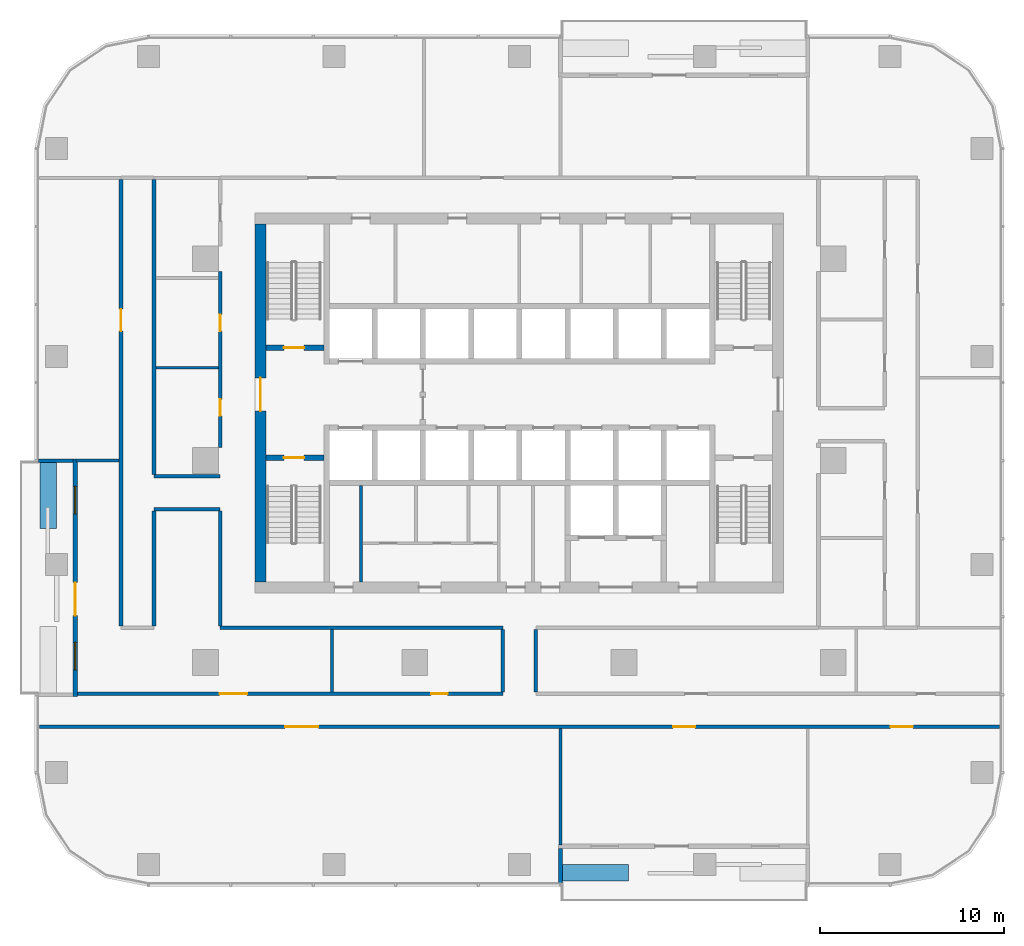
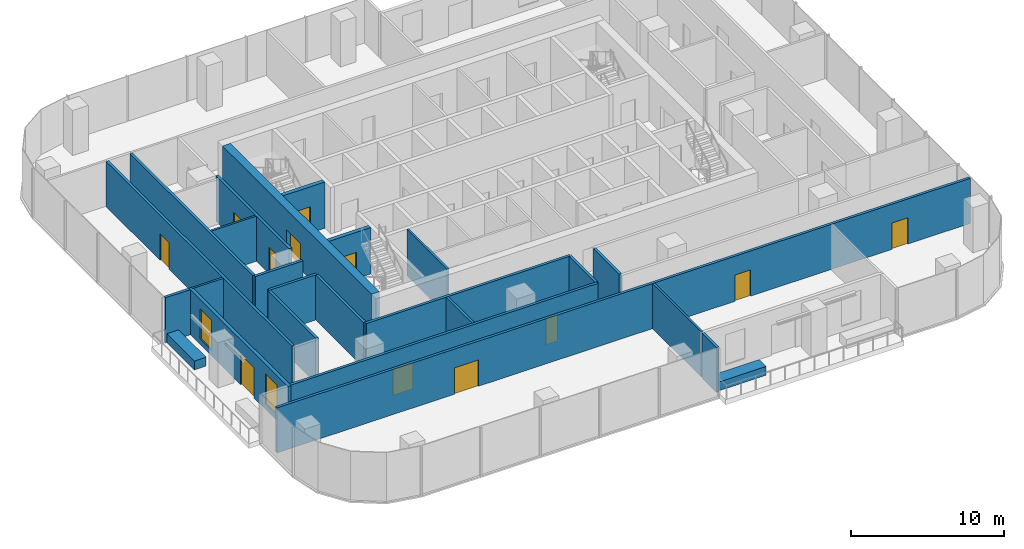
# One storey, part 7 of 14: 25 walls, 12 doors, 2 windows, 14 openings.
"""IFC4 building model written with IfcOpenShell, lengths in metres."""

import ifcopenshell
import ifcopenshell.guid

model = None  # the IFC model being written
_history = None  # IfcOwnerHistory: only IFC2X3 demands one
_inside = {}  # id of a spatial element -> (the spatial element, [elements in it])
_under = {}  # id of a project, library or spatial element -> (it, [spatial elements below it])
_declared = {}  # id of a project -> (the project, [libraries it declares])
_typed = {}  # id of a type object -> (the type object, [elements of that type])
_made_of = {}  # id of a material, layer set ... -> (it, [elements and type objects made of it])


def new_model(schema):
    """Start an empty IFC model of exactly this schema.

    Asked for "IFC4X3", IfcOpenShell would pick the latest addendum, in which some entities
    have other attributes; the version numbers below select the first issue.
    IFC2X3 requires an IfcOwnerHistory on every rooted entity: one is made here for all.
    """
    global model, _history
    if schema == "IFC4X3":
        model = ifcopenshell.file(schema_version=(4, 3, 0, 0))
    else:
        model = ifcopenshell.file(schema=schema)
    _inside.clear()
    _under.clear()
    _declared.clear()
    _typed.clear()
    _made_of.clear()
    _history = None
    if model.schema == "IFC2X3":
        org = make("IfcOrganization", Name="unknown")
        user = make(
            "IfcPersonAndOrganization",
            ThePerson=make("IfcPerson", FamilyName="unknown"),
            TheOrganization=org,
        )
        app = make(
            "IfcApplication",
            ApplicationDeveloper=org,
            Version="unknown",
            ApplicationFullName="unknown",
            ApplicationIdentifier="unknown",
        )
        _history = make(
            "IfcOwnerHistory",
            OwningUser=user,
            OwningApplication=app,
            ChangeAction="ADDED",
            CreationDate=0,
        )
    return model


def make(cls, **values):
    """One entity of the class cls with the attributes given. An attribute that is None is left unset."""
    return model.create_entity(
        cls, **{name: value for name, value in values.items() if value is not None}
    )


def rooted(cls, **values):
    """An entity with a GlobalId (a new one), such as an element, a storey or a relation."""
    return make(cls, GlobalId=ifcopenshell.guid.new(), OwnerHistory=_history, **values)


def si_unit(unit_type, name, prefix=None):
    """IfcSIUnit, for example si_unit("LENGTHUNIT", "METRE", prefix="MILLI")."""
    return make("IfcSIUnit", UnitType=unit_type, Prefix=prefix, Name=name)


def assignment(units):
    """IfcUnitAssignment: the units of a project."""
    return None if units is None else make("IfcUnitAssignment", Units=units)


def point(xyz):
    """IfcCartesianPoint."""
    return None if xyz is None else make("IfcCartesianPoint", Coordinates=xyz)


def direction(xyz):
    """IfcDirection."""
    return None if xyz is None else make("IfcDirection", DirectionRatios=xyz)


def frame(location, z_axis=None, x_axis=None):
    """IfcAxis2Placement3D, a coordinate frame: its origin and axes. An axis left out is left unset."""
    return make(
        "IfcAxis2Placement3D",
        Location=point(location),
        Axis=direction(z_axis),
        RefDirection=direction(x_axis),
    )


def frame_2d(location, x_axis=None):
    """IfcAxis2Placement2D, a coordinate frame in the plane: its origin and x axis."""
    return make(
        "IfcAxis2Placement2D", Location=point(location), RefDirection=direction(x_axis)
    )


def origin():
    """The frame at (0, 0, 0) with its axes left unset."""
    return frame((0.0, 0.0, 0.0))


def place(relative_to, where):
    """IfcLocalPlacement: puts the frame where relative to a parent placement (None: the world)."""
    return make(
        "IfcLocalPlacement", PlacementRelTo=relative_to, RelativePlacement=where
    )


def context(
    kind, dimensions, precision=None, world=None, true_north=None, identifier=None
):
    """IfcGeometricRepresentationContext, for example the 3D "Model" context."""
    return make(
        "IfcGeometricRepresentationContext",
        ContextIdentifier=identifier,
        ContextType=kind,
        CoordinateSpaceDimension=dimensions,
        Precision=precision,
        WorldCoordinateSystem=world,
        TrueNorth=true_north,
    )


def subcontext(parent, identifier, kind, view, scale=None):
    """IfcGeometricRepresentationSubContext, for example "Body" below "Model"."""
    return make(
        "IfcGeometricRepresentationSubContext",
        ContextIdentifier=identifier,
        ContextType=kind,
        ParentContext=parent,
        TargetScale=scale,
        TargetView=view,
    )


def project(units=None, contexts=None):
    """IfcProject with its units and contexts."""
    return rooted(
        "IfcProject",
        Name="project",
        RepresentationContexts=contexts,
        UnitsInContext=assignment(units),
    )


def spatial(cls, under=None, at=None, **own):
    """A site, building, storey or space (cls), placed at a placement, below another one or the project."""
    s = rooted(cls, ObjectPlacement=at, **own)
    if under is not None:
        _under.setdefault(under.id(), (under, []))[1].append(s)
    return s


def profile(cls, at=None, kind="AREA", **sizes):
    """A parametric profile (cls). Its sizes go by their IFC names, for example OverallWidth=200.0."""
    return make(cls, ProfileType=kind, Position=at, **sizes)


def rectangle(**sizes):
    """IfcRectangleProfileDef."""
    return profile("IfcRectangleProfileDef", **sizes)


def extrude(swept, where, along, depth):
    """IfcExtrudedAreaSolid: the profile swept, set in the frame where, extruded along a direction by depth."""
    return make(
        "IfcExtrudedAreaSolid",
        SweptArea=swept,
        Position=where,
        ExtrudedDirection=direction(along),
        Depth=depth,
    )


def shape(context_of_items, identifier, shape_type, items):
    """IfcShapeRepresentation: the items that make up one representation, for example the "Body"."""
    return make(
        "IfcShapeRepresentation",
        ContextOfItems=context_of_items,
        RepresentationIdentifier=identifier,
        RepresentationType=shape_type,
        Items=items,
    )


def material(Name=None, Category=None):
    """IfcMaterial."""
    return make("IfcMaterial", Name=Name, Category=Category)


def layer(
    of_material, thickness, ventilated=None, Name=None, Category=None, Priority=None
):
    """IfcMaterialLayer: one layer of a wall or slab, of a material (None: an air gap)."""
    return make(
        "IfcMaterialLayer",
        Material=of_material,
        LayerThickness=thickness,
        IsVentilated=ventilated,
        Name=Name,
        Category=Category,
        Priority=Priority,
    )


def layer_set(layers, Name=None):
    """IfcMaterialLayerSet."""
    return make("IfcMaterialLayerSet", MaterialLayers=layers, LayerSetName=Name)


def made_of(thing, what):
    """Note that an element or type object is made of a material, layer set ...; save() writes the relation."""
    if what is not None:
        _made_of.setdefault(what.id(), (what, []))[1].append(thing)
    return thing


def type_object(cls, material=None, **own):
    """A type object (cls), such as IfcWallType, which elements share."""
    return made_of(rooted(cls, **own), material)


def element(
    cls,
    number,
    at=None,
    inside=None,
    cuts=None,
    type_object=None,
    material=None,
    context=None,
    identifier="Body",
    shape_type=None,
    held_by="IfcProductDefinitionShape",
    body=None,
    shapes=None,
    **own,
):
    """One element of the class cls, such as IfcWall. Its Tag is "e" and its number.

    at: its placement. inside: the storey or other place that contains it. cuts: it is an
    opening in that element (IfcRelVoidsElement). A single representation is given by context,
    identifier, shape_type and body (its items); several are given by shapes. held_by: the class
    of the entity that holds the representations. save() writes the other relations.
    """
    e = rooted(cls, Tag="e%d" % number, ObjectPlacement=at, **own)
    if body is not None:
        shapes = [shape(context, identifier, shape_type, body)]
    if shapes is not None:
        e.Representation = make(held_by, Representations=shapes)
    if inside is not None:
        _inside.setdefault(inside.id(), (inside, []))[1].append(e)
    if cuts is not None:
        rooted(
            "IfcRelVoidsElement", RelatingBuildingElement=cuts, RelatedOpeningElement=e
        )
    if type_object is not None:
        _typed.setdefault(type_object.id(), (type_object, []))[1].append(e)
    return made_of(e, material)


def fill(opening, filler):
    """IfcRelFillsElement: the door or window that sits in an opening."""
    return rooted(
        "IfcRelFillsElement",
        RelatingOpeningElement=opening,
        RelatedBuildingElement=filler,
    )


def aggregate(whole, parts):
    """IfcRelAggregates: a whole, such as a stair, and the parts it consists of."""
    return rooted("IfcRelAggregates", RelatingObject=whole, RelatedObjects=parts)


def save(model, path):
    """Write the relations noted so far, then the file.

    IfcRelAggregates (storeys below a building ...), IfcRelContainedInSpatialStructure (elements
    in a storey), IfcRelDefinesByType, IfcRelAssociatesMaterial and IfcRelDeclares: one each for
    every whole, place, type object, material and project.
    """
    for whole, parts in _under.values():
        aggregate(whole, parts)
    for where, things in _inside.values():
        rooted(
            "IfcRelContainedInSpatialStructure",
            RelatedElements=things,
            RelatingStructure=where,
        )
    for kind, things in _typed.values():
        rooted("IfcRelDefinesByType", RelatedObjects=things, RelatingType=kind)
    for what, things in _made_of.values():
        rooted("IfcRelAssociatesMaterial", RelatedObjects=things, RelatingMaterial=what)
    for by, libraries in _declared.values():
        rooted("IfcRelDeclares", RelatingContext=by, RelatedDefinitions=libraries)
    model.write(path)


model = new_model("IFC4")

# Units and contexts
model_context = context("Model", 3, precision=1e-05, world=origin(), true_north=direction((0.0, 1.0)))
body_context = subcontext(model_context, "Body", "Model", "MODEL_VIEW")
ifc_project = project(units=[si_unit("LENGTHUNIT", "METRE"), si_unit("AREAUNIT", "SQUARE_METRE"), si_unit("VOLUMEUNIT", "CUBIC_METRE"), si_unit("PLANEANGLEUNIT", "RADIAN"), si_unit("MASSUNIT", "GRAM", prefix="KILO")], contexts=[model_context])

# Site, building, storey
site_placement = place(None, origin())
site = spatial("IfcSite", under=ifc_project, at=site_placement, CompositionType="ELEMENT")
building_placement = place(site_placement, origin())
building = spatial("IfcBuilding", under=site, at=building_placement, Name="Mopane Tessera Tower", CompositionType="ELEMENT")
storey_placement = place(building_placement, frame((0.0, 0.0, 185.0)))
storey = spatial("IfcBuildingStorey", under=building, at=storey_placement, Name="L38", CompositionType="ELEMENT", Elevation=185.0)

# Wall
ifc_material_1 = material(Name="Fire-rated gypsum board partition")
ifc_layer_1 = layer(ifc_material_1, 0.14990234375)
ifc_layer_set_1 = layer_set([ifc_layer_1], Name="Fire-rated gypsum board partition")
wall_type_1 = type_object("IfcWallType", Name="Core room partition 150 mm", PredefinedType="PARTITIONING", material=ifc_layer_set_1)
wall_1_placement = place(storey_placement, frame((-8.625, -6.60009765625, 0.0), z_axis=(0.0, 0.0, 1.0), x_axis=(0.0, 1.0, 0.0)))
element("IfcWall", 1, at=wall_1_placement, inside=storey, type_object=wall_type_1, Name="L38 Room partition", PredefinedType="PARTITIONING", context=body_context, shape_type="SweptSolid", body=[
    extrude(rectangle(XDim=5.25, YDim=0.14990234375, at=frame_2d((2.625, 0.0))), origin(), (0.0, 0.0, 1.0), 3.699951171875),
])

# Wall, opening, door
ifc_material_2 = material(Name="Concrete C70/85", Category="concrete")
ifc_layer_2 = layer(ifc_material_2, 0.60009765625)
ifc_layer_set_2 = layer_set([ifc_layer_2], Name="Concrete C70/85")
wall_type_2 = type_object("IfcWallType", Name="Core shear wall 600 mm", PredefinedType="SHEAR", material=ifc_layer_set_2)
wall_2_placement = place(storey_placement, frame((-14.10009765625, -6.60009765625, 0.0), z_axis=(0.0, 0.0, 1.0), x_axis=(0.0, 1.0, 0.0)))
wall_2 = element("IfcWall", 2, at=wall_2_placement, inside=storey, type_object=wall_type_2, Name="L38 Core wall west", PredefinedType="SHEAR", context=body_context, shape_type="SweptSolid", body=[
    extrude(rectangle(XDim=19.5, YDim=0.60009765625, at=frame_2d((9.75, 0.0))), origin(), (0.0, 0.0, 1.0), 3.699951171875),
])
opening_1_placement = place(wall_2_placement, frame((9.300048828125, 0.0, 0.0)))
opening_1 = element("IfcOpeningElement", 3, at=opening_1_placement, cuts=wall_2, Name="Opening SD2", PredefinedType="OPENING", context=body_context, shape_type="SweptSolid", body=[
    extrude(rectangle(XDim=1.800048828125, YDim=2.10009765625, at=frame_2d((0.89990234375, 1.050048828125))), frame((0.0, 0.31201171875, 0.0), z_axis=(0.0, -1.0, 0.0), x_axis=(1.0, 0.0, 0.0)), (0.0, 0.0, 1.0), 0.6240234375),
])
ifc_material_3 = material(Name="Steel fire door", Category="steel")
door_type_1 = type_object("IfcDoorType", Name="Core entrance double door 1800 x 2100", OperationType="DOUBLE_DOOR_SINGLE_SWING", PredefinedType="DOOR", material=ifc_material_3)
door_1_placement = place(opening_1_placement, origin())
door_1 = element("IfcDoor", 4, at=door_1_placement, inside=storey, type_object=door_type_1, Name="L38 Core entrance door west", OperationType="DOUBLE_DOOR_SINGLE_SWING", OverallHeight=2.10009765625, OverallWidth=1.800048828125, PredefinedType="DOOR", context=body_context, shape_type="SweptSolid", body=[
    extrude(rectangle(XDim=1.800048828125, YDim=2.10009765625, at=frame_2d((0.89990234375, 1.050048828125))), frame((0.0, 0.02490234375, 0.0), z_axis=(0.0, -1.0, 0.0), x_axis=(1.0, 0.0, 0.0)), (0.0, 0.0, 1.0), 0.050048828125),
])
fill(opening_1, door_1)

# Wall
ifc_material_4 = material(Name="Gypsum board on staggered steel studs, double layer each face, acoustic mineral wool infill", Category="steel")
ifc_layer_3 = layer(ifc_material_4, 0.175048828125)
ifc_layer_set_3 = layer_set([ifc_layer_3], Name="Gypsum board on staggered steel studs, double layer each face, acoustic mineral wool infill")
wall_type_3 = type_object("IfcWallType", Name="Gypsum board acoustic partition 175, rated EI 60", PredefinedType="PARTITIONING", material=ifc_layer_set_3)
wall_3_placement = place(storey_placement, frame((-10.199951171875, -12.60009765625, 0.0), z_axis=(0.0, 0.0, 1.0), x_axis=(0.0, 1.0, 0.0)))
element("IfcWall", 5, at=wall_3_placement, inside=storey, type_object=wall_type_3, Name="Partition L38:031", PredefinedType="PARTITIONING", context=body_context, shape_type="SweptSolid", body=[
    extrude(rectangle(XDim=3.400146484375, YDim=0.175048828125, at=frame_2d((1.7001953125, 0.0))), origin(), (0.0, 0.0, 1.0), 3.60009765625),
])

# Wall, openings, doors
ifc_material_5 = material(Name="Gypsum board on steel studs, two layers each face, mineral wool infill", Category="steel")
ifc_layer_4 = layer(ifc_material_5, 0.199951171875)
ifc_layer_set_4 = layer_set([ifc_layer_4], Name="Gypsum board on steel studs, two layers each face, mineral wool infill")
wall_type_4 = type_object("IfcWallType", Name="Gypsum board corridor wall 200, rated EI 60", PredefinedType="PARTITIONING", material=ifc_layer_set_4)
wall_4_placement = place(storey_placement, frame((-26.14990234375, -14.5, 0.0), z_axis=(0.0, 0.0, 1.0), x_axis=(1.0, 0.0, 0.0)))
wall_4 = element("IfcWall", 6, at=wall_4_placement, inside=storey, type_object=wall_type_4, Name="Partition L38:000", PredefinedType="PARTITIONING", context=body_context, shape_type="SweptSolid", body=[
    extrude(rectangle(XDim=52.2998046875, YDim=0.199951171875, at=frame_2d((26.14990234375, 0.0))), origin(), (0.0, 0.0, 1.0), 3.60009765625),
])
opening_2_placement = place(wall_4_placement, frame((34.527587890625, 0.0, 0.0)))
opening_2 = element("IfcOpeningElement", 7, at=opening_2_placement, cuts=wall_4, Name="Opening L38-12", PredefinedType="OPENING", context=body_context, shape_type="SweptSolid", body=[
    extrude(rectangle(XDim=1.199951171875, YDim=2.10009765625, at=frame_2d((0.60009765625, 1.050048828125))), frame((0.0, 0.112060546875, 0.0), z_axis=(0.0, -1.0, 0.0), x_axis=(1.0, 0.0, 0.0)), (0.0, 0.0, 1.0), 0.223876953125),
])
opening_3_placement = place(wall_4_placement, frame((13.3974609375, 0.0, 0.0)))
opening_3 = element("IfcOpeningElement", 8, at=opening_3_placement, cuts=wall_4, Name="Opening L38-14", PredefinedType="OPENING", context=body_context, shape_type="SweptSolid", body=[
    extrude(rectangle(XDim=1.800048828125, YDim=2.10009765625, at=frame_2d((0.89990234375, 1.050048828125))), frame((0.0, 0.112060546875, 0.0), z_axis=(0.0, -1.0, 0.0), x_axis=(1.0, 0.0, 0.0)), (0.0, 0.0, 1.0), 0.223876953125),
])
opening_4_placement = place(wall_4_placement, frame((46.3798828125, 0.0, 0.0)))
opening_4 = element("IfcOpeningElement", 9, at=opening_4_placement, cuts=wall_4, Name="Opening L38-15", PredefinedType="OPENING", context=body_context, shape_type="SweptSolid", body=[
    extrude(rectangle(XDim=1.199951171875, YDim=2.10009765625, at=frame_2d((0.60009765625, 1.050048828125))), frame((0.0, 0.112060546875, 0.0), z_axis=(0.0, -1.0, 0.0), x_axis=(1.0, 0.0, 0.0)), (0.0, 0.0, 1.0), 0.223876953125),
])
ifc_material_6 = material(Name="Timber veneered steel-framed fire door", Category="steel")
door_type_2 = type_object("IfcDoorType", Name="Fire door FD60 1200 x 2100", OperationType="SINGLE_SWING_LEFT", PredefinedType="DOOR", material=ifc_material_6)
door_2_placement = place(opening_2_placement, origin())
door_2 = element("IfcDoor", 10, at=door_2_placement, inside=storey, type_object=door_type_2, Name="Door L38-12", ObjectType="D15A", OperationType="SINGLE_SWING_RIGHT", OverallHeight=2.10009765625, OverallWidth=1.199951171875, PredefinedType="DOOR", context=body_context, shape_type="SweptSolid", body=[
    extrude(rectangle(XDim=1.199951171875, YDim=2.10009765625, at=frame_2d((0.60009765625, 1.050048828125))), frame((0.0, 0.02490234375, 0.0), z_axis=(0.0, -1.0, 0.0), x_axis=(1.0, 0.0, 0.0)), (0.0, 0.0, 1.0), 0.050048828125),
])
fill(opening_2, door_2)
door_3_placement = place(opening_4_placement, origin())
door_3 = element("IfcDoor", 11, at=door_3_placement, inside=storey, type_object=door_type_2, Name="Door L38-15", ObjectType="D15A", OperationType="SINGLE_SWING_LEFT", OverallHeight=2.10009765625, OverallWidth=1.199951171875, PredefinedType="DOOR", context=body_context, shape_type="SweptSolid", body=[
    extrude(rectangle(XDim=1.199951171875, YDim=2.10009765625, at=frame_2d((0.60009765625, 1.050048828125))), frame((0.0, 0.02490234375, 0.0), z_axis=(0.0, -1.0, 0.0), x_axis=(1.0, 0.0, 0.0)), (0.0, 0.0, 1.0), 0.050048828125),
])
fill(opening_4, door_3)
ifc_material_7 = material(Name="Timber veneered steel-framed fire door", Category="steel")
door_type_3 = type_object("IfcDoorType", Name="Fire door pair FD60 1800 x 2100", OperationType="DOUBLE_DOOR_SINGLE_SWING", PredefinedType="DOOR", material=ifc_material_7)
door_4_placement = place(opening_3_placement, origin())
door_4 = element("IfcDoor", 12, at=door_4_placement, inside=storey, type_object=door_type_3, Name="Door L38-14", ObjectType="D20A", OperationType="DOUBLE_DOOR_SINGLE_SWING", OverallHeight=2.10009765625, OverallWidth=1.800048828125, PredefinedType="DOOR", context=body_context, shape_type="SweptSolid", body=[
    extrude(rectangle(XDim=1.800048828125, YDim=2.10009765625, at=frame_2d((0.89990234375, 1.050048828125))), frame((0.0, 0.02490234375, 0.0), z_axis=(0.0, -1.0, 0.0), x_axis=(1.0, 0.0, 0.0)), (0.0, 0.0, 1.0), 0.050048828125),
])
fill(opening_3, door_4)

wall_5_placement = place(storey_placement, frame((-24.14990234375, -12.699951171875, 0.0), z_axis=(0.0, 0.0, 1.0), x_axis=(1.0, 0.0, 0.0)))
wall_5 = element("IfcWall", 13, at=wall_5_placement, inside=storey, type_object=wall_type_4, Name="Partition L38:001", PredefinedType="PARTITIONING", context=body_context, shape_type="SweptSolid", body=[
    extrude(rectangle(XDim=23.25, YDim=0.199951171875, at=frame_2d((11.625, 0.0))), origin(), (0.0, 0.0, 1.0), 3.60009765625),
])
opening_5_placement = place(wall_5_placement, frame((19.35009765625, 0.0, 0.0)))
opening_5 = element("IfcOpeningElement", 14, at=opening_5_placement, cuts=wall_5, Name="Opening L38-03", PredefinedType="OPENING", context=body_context, shape_type="SweptSolid", body=[
    extrude(rectangle(XDim=0.89990234375, YDim=2.10009765625, at=frame_2d((0.449951171875, 1.050048828125))), frame((0.0, 0.112060546875, 0.0), z_axis=(0.0, -1.0, 0.0), x_axis=(1.0, 0.0, 0.0)), (0.0, 0.0, 1.0), 0.223876953125),
])
opening_6_placement = place(wall_5_placement, frame((7.824951171875, 0.0, 0.0)))
opening_6 = element("IfcOpeningElement", 15, at=opening_6_placement, cuts=wall_5, Name="Opening L38-11", PredefinedType="OPENING", context=body_context, shape_type="SweptSolid", body=[
    extrude(rectangle(XDim=1.5, YDim=2.10009765625, at=frame_2d((0.75, 1.050048828125))), frame((0.0, 0.112060546875, 0.0), z_axis=(0.0, -1.0, 0.0), x_axis=(1.0, 0.0, 0.0)), (0.0, 0.0, 1.0), 0.223876953125),
])
ifc_material_8 = material(Name="Timber veneered steel-framed fire door", Category="steel")
door_type_4 = type_object("IfcDoorType", Name="Fire door FD60 900 x 2100", OperationType="SINGLE_SWING_LEFT", PredefinedType="DOOR", material=ifc_material_8)
door_5_placement = place(opening_5_placement, origin())
door_5 = element("IfcDoor", 16, at=door_5_placement, inside=storey, type_object=door_type_4, Name="Door L38-03", ObjectType="D10A", OperationType="SINGLE_SWING_RIGHT", OverallHeight=2.10009765625, OverallWidth=0.89990234375, PredefinedType="DOOR", context=body_context, shape_type="SweptSolid", body=[
    extrude(rectangle(XDim=0.89990234375, YDim=2.10009765625, at=frame_2d((0.449951171875, 1.050048828125))), frame((0.0, 0.02490234375, 0.0), z_axis=(0.0, -1.0, 0.0), x_axis=(1.0, 0.0, 0.0)), (0.0, 0.0, 1.0), 0.050048828125),
])
fill(opening_5, door_5)
ifc_material_9 = material(Name="Timber veneered steel-framed fire door", Category="steel")
door_type_5 = type_object("IfcDoorType", Name="Fire door pair FD60 1500 x 2100", OperationType="DOUBLE_DOOR_SINGLE_SWING", PredefinedType="DOOR", material=ifc_material_9)
door_6_placement = place(opening_6_placement, origin())
door_6 = element("IfcDoor", 17, at=door_6_placement, inside=storey, type_object=door_type_5, Name="Door L38-11", ObjectType="D17A", OperationType="DOUBLE_DOOR_SINGLE_SWING", OverallHeight=2.10009765625, OverallWidth=1.5, PredefinedType="DOOR", context=body_context, shape_type="SweptSolid", body=[
    extrude(rectangle(XDim=1.5, YDim=2.10009765625, at=frame_2d((0.75, 1.050048828125))), frame((0.0, 0.02490234375, 0.0), z_axis=(0.0, -1.0, 0.0), x_axis=(1.0, 0.0, 0.0)), (0.0, 0.0, 1.0), 0.050048828125),
])
fill(opening_6, door_6)

# Walls
wall_6_placement = place(storey_placement, frame((-16.300048828125, -9.10009765625, 0.0), z_axis=(0.0, 0.0, 1.0), x_axis=(1.0, 0.0, 0.0)))
element("IfcWall", 18, at=wall_6_placement, inside=storey, type_object=wall_type_4, Name="Partition L38:006", PredefinedType="PARTITIONING", context=body_context, shape_type="SweptSolid", body=[
    extrude(rectangle(XDim=15.400146484375, YDim=0.199951171875, at=frame_2d((7.7001953125, 0.0))), origin(), (0.0, 0.0, 1.0), 3.60009765625),
])
for number, where, z_axis, x_axis, name in (
    (19, (-19.89990234375, -2.64990234375, 0.0), (0.0, 0.0, 1.0), (1.0, 0.0, 0.0), "Partition L38:010"),
    (20, (-19.89990234375, -0.85009765625, 0.0), (0.0, 0.0, 1.0), (1.0, 0.0, 0.0), "Partition L38:011"),
):
    element("IfcWall", number, at=place(storey_placement, frame(where, z_axis=z_axis, x_axis=x_axis)), inside=storey, type_object=wall_type_4, Name=name, PredefinedType="PARTITIONING", context=body_context, shape_type="SweptSolid", body=[
        extrude(rectangle(XDim=3.599853515625, YDim=0.199951171875, at=frame_2d((1.7998046875, 0.0))), origin(), (0.0, 0.0, 1.0), 3.60009765625),
    ])

# Wall, opening, door
wall_7_placement = place(storey_placement, frame((-21.699951171875, -9.0, 0.0), z_axis=(0.0, 0.0, 1.0), x_axis=(0.0, 1.0, 0.0)))
wall_7 = element("IfcWall", 21, at=wall_7_placement, inside=storey, type_object=wall_type_4, Name="Partition L38:025", PredefinedType="PARTITIONING", context=body_context, shape_type="SweptSolid", body=[
    extrude(rectangle(XDim=24.300048828125, YDim=0.199951171875, at=frame_2d((12.14990234375, 0.0))), origin(), (0.0, 0.0, 1.0), 3.60009765625),
])
opening_7_placement = place(wall_7_placement, frame((16.050048828125, 0.0, 0.0)))
opening_7 = element("IfcOpeningElement", 22, at=opening_7_placement, cuts=wall_7, Name="Opening L38-01", PredefinedType="OPENING", context=body_context, shape_type="SweptSolid", body=[
    extrude(rectangle(XDim=1.199951171875, YDim=2.10009765625, at=frame_2d((0.60009765625, 1.050048828125))), frame((0.0, 0.112060546875, 0.0), z_axis=(0.0, -1.0, 0.0), x_axis=(1.0, 0.0, 0.0)), (0.0, 0.0, 1.0), 0.223876953125),
])
door_7_placement = place(opening_7_placement, origin())
door_7 = element("IfcDoor", 23, at=door_7_placement, inside=storey, type_object=door_type_2, Name="Door L38-01", ObjectType="D15A", OperationType="SINGLE_SWING_RIGHT", OverallHeight=2.10009765625, OverallWidth=1.199951171875, PredefinedType="DOOR", context=body_context, shape_type="SweptSolid", body=[
    extrude(rectangle(XDim=1.199951171875, YDim=2.10009765625, at=frame_2d((0.60009765625, 1.050048828125))), frame((0.0, 0.02490234375, 0.0), z_axis=(0.0, -1.0, 0.0), x_axis=(1.0, 0.0, 0.0)), (0.0, 0.0, 1.0), 0.050048828125),
])
fill(opening_7, door_7)

# Walls
wall_8_placement = place(storey_placement, frame((-19.89990234375, -9.0, 0.0), z_axis=(0.0, 0.0, 1.0), x_axis=(0.0, 1.0, 0.0)))
element("IfcWall", 24, at=wall_8_placement, inside=storey, type_object=wall_type_4, Name="Partition L38:026", PredefinedType="PARTITIONING", context=body_context, shape_type="SweptSolid", body=[
    extrude(rectangle(XDim=6.25, YDim=0.199951171875, at=frame_2d((3.125, 0.0))), origin(), (0.0, 0.0, 1.0), 3.60009765625),
])
wall_9_placement = place(storey_placement, frame((-19.89990234375, -0.75, 0.0), z_axis=(0.0, 0.0, 1.0), x_axis=(0.0, 1.0, 0.0)))
element("IfcWall", 25, at=wall_9_placement, inside=storey, type_object=wall_type_4, Name="Partition L38:027", PredefinedType="PARTITIONING", context=body_context, shape_type="SweptSolid", body=[
    extrude(rectangle(XDim=16.050048828125, YDim=0.199951171875, at=frame_2d((8.02490234375, 0.0))), origin(), (0.0, 0.0, 1.0), 3.60009765625),
])
wall_10_placement = place(storey_placement, frame((-16.300048828125, -9.0, 0.0), z_axis=(0.0, 0.0, 1.0), x_axis=(0.0, 1.0, 0.0)))
element("IfcWall", 26, at=wall_10_placement, inside=storey, type_object=wall_type_4, Name="Partition L38:028", PredefinedType="PARTITIONING", context=body_context, shape_type="SweptSolid", body=[
    extrude(rectangle(XDim=6.25, YDim=0.199951171875, at=frame_2d((3.125, 0.0))), origin(), (0.0, 0.0, 1.0), 3.60009765625),
])

# Wall, openings, doors
wall_11_placement = place(storey_placement, frame((-16.300048828125, 0.699951171875, 0.0), z_axis=(0.0, 0.0, 1.0), x_axis=(0.0, 1.0, 0.0)))
wall_11 = element("IfcWall", 27, at=wall_11_placement, inside=storey, type_object=wall_type_4, Name="Partition L38:029", PredefinedType="PARTITIONING", context=body_context, shape_type="SweptSolid", body=[
    extrude(rectangle(XDim=9.60009765625, YDim=0.199951171875, at=frame_2d((4.800048828125, 0.0))), origin(), (0.0, 0.0, 1.0), 3.60009765625),
])
opening_8_placement = place(wall_11_placement, frame((1.72998046875, 0.0, 0.0)))
opening_8 = element("IfcOpeningElement", 28, at=opening_8_placement, cuts=wall_11, Name="Opening L38-04", PredefinedType="OPENING", context=body_context, shape_type="SweptSolid", body=[
    extrude(rectangle(XDim=0.89990234375, YDim=2.10009765625, at=frame_2d((0.449951171875, 1.050048828125))), frame((0.0, 0.112060546875, 0.0), z_axis=(0.0, -1.0, 0.0), x_axis=(1.0, 0.0, 0.0)), (0.0, 0.0, 1.0), 0.223876953125),
])
opening_9_placement = place(wall_11_placement, frame((6.3525390625, 0.0, 0.0)))
opening_9 = element("IfcOpeningElement", 29, at=opening_9_placement, cuts=wall_11, Name="Opening L38-08", PredefinedType="OPENING", context=body_context, shape_type="SweptSolid", body=[
    extrude(rectangle(XDim=0.89990234375, YDim=2.10009765625, at=frame_2d((0.449951171875, 1.050048828125))), frame((0.0, 0.112060546875, 0.0), z_axis=(0.0, -1.0, 0.0), x_axis=(1.0, 0.0, 0.0)), (0.0, 0.0, 1.0), 0.223876953125),
])
door_8_placement = place(opening_8_placement, origin())
door_8 = element("IfcDoor", 30, at=door_8_placement, inside=storey, type_object=door_type_4, Name="Door L38-04", ObjectType="D10A", OperationType="SINGLE_SWING_LEFT", OverallHeight=2.10009765625, OverallWidth=0.89990234375, PredefinedType="DOOR", context=body_context, shape_type="SweptSolid", body=[
    extrude(rectangle(XDim=0.89990234375, YDim=2.10009765625, at=frame_2d((0.449951171875, 1.050048828125))), frame((0.0, 0.02490234375, 0.0), z_axis=(0.0, -1.0, 0.0), x_axis=(1.0, 0.0, 0.0)), (0.0, 0.0, 1.0), 0.050048828125),
])
fill(opening_8, door_8)
door_9_placement = place(opening_9_placement, origin())
door_9 = element("IfcDoor", 31, at=door_9_placement, inside=storey, type_object=door_type_4, Name="Door L38-08", ObjectType="D10A", OperationType="SINGLE_SWING_LEFT", OverallHeight=2.10009765625, OverallWidth=0.89990234375, PredefinedType="DOOR", context=body_context, shape_type="SweptSolid", body=[
    extrude(rectangle(XDim=0.89990234375, YDim=2.10009765625, at=frame_2d((0.449951171875, 1.050048828125))), frame((0.0, 0.02490234375, 0.0), z_axis=(0.0, -1.0, 0.0), x_axis=(1.0, 0.0, 0.0)), (0.0, 0.0, 1.0), 0.050048828125),
])
fill(opening_9, door_9)

# Walls
for number, where, z_axis, x_axis, name in (
    (32, (-0.89990234375, -12.60009765625, 0.0), (0.0, 0.0, 1.0), (0.0, 1.0, 0.0), "Partition L38:033"),
    (33, (0.89990234375, -12.60009765625, 0.0), (0.0, 0.0, 1.0), (0.0, 1.0, 0.0), "Partition L38:034"),
):
    element("IfcWall", number, at=place(storey_placement, frame(where, z_axis=z_axis, x_axis=x_axis)), inside=storey, type_object=wall_type_4, Name=name, PredefinedType="PARTITIONING", context=body_context, shape_type="SweptSolid", body=[
        extrude(rectangle(XDim=3.400146484375, YDim=0.199951171875, at=frame_2d((1.7001953125, 0.0))), origin(), (0.0, 0.0, 1.0), 3.60009765625),
    ])
ifc_material_10 = material(Name="Gypsum board on steel studs, mineral wool infill", Category="steel")
ifc_layer_5 = layer(ifc_material_10, 0.14990234375)
ifc_layer_set_5 = layer_set([ifc_layer_5], Name="Gypsum board on steel studs, mineral wool infill")
wall_type_5 = type_object("IfcWallType", Name="Gypsum board partition 150, rated EI 60", PredefinedType="PARTITIONING", material=ifc_layer_set_5)
wall_12_placement = place(storey_placement, frame((-24.14990234375, 0.0, 0.0), z_axis=(0.0, 0.0, 1.0), x_axis=(1.0, 0.0, 0.0)))
element("IfcWall", 34, at=wall_12_placement, inside=storey, type_object=wall_type_5, Name="Partition L38:012", PredefinedType="PARTITIONING", context=body_context, shape_type="SweptSolid", body=[
    extrude(rectangle(XDim=2.349853515625, YDim=0.14990234375, at=frame_2d((1.1748046875, 0.0))), origin(), (0.0, 0.0, 1.0), 3.60009765625),
])
wall_13_placement = place(storey_placement, frame((-19.800048828125, 5.06005859375, 0.0), z_axis=(0.0, 0.0, 1.0), x_axis=(1.0, 0.0, 0.0)))
element("IfcWall", 35, at=wall_13_placement, inside=storey, type_object=wall_type_5, Name="Partition L38:016", PredefinedType="PARTITIONING", context=body_context, shape_type="SweptSolid", body=[
    extrude(rectangle(XDim=3.400146484375, YDim=0.14990234375, at=frame_2d((1.7001953125, 0.0))), origin(), (0.0, 0.0, 1.0), 3.60009765625),
])
wall_14_placement = place(storey_placement, frame((2.2451171875, -20.949951171875, 0.0), z_axis=(0.0, 0.0, 1.0), x_axis=(0.0, 1.0, 0.0)))
element("IfcWall", 36, at=wall_14_placement, inside=storey, type_object=wall_type_5, Name="Partition L38:035", PredefinedType="PARTITIONING", context=body_context, shape_type="SweptSolid", body=[
    extrude(rectangle(XDim=6.349853515625, YDim=0.14990234375, at=frame_2d((3.1748046875, 0.0))), origin(), (0.0, 0.0, 1.0), 3.60009765625),
])

# Wall, opening, door
ifc_material_11 = material(Name="Concrete C50/60", Category="concrete")
ifc_layer_6 = layer(ifc_material_11, 0.300048828125)
ifc_layer_set_6 = layer_set([ifc_layer_6], Name="Concrete C50/60")
wall_type_6 = type_object("IfcWallType", Name="Lift and stair shaft wall 300 mm", PredefinedType="SOLIDWALL", material=ifc_layer_set_6)
wall_15_placement = place(storey_placement, frame((-13.800048828125, 0.14990234375, 0.0), z_axis=(0.0, 0.0, 1.0), x_axis=(1.0, 0.0, 0.0)))
wall_15 = element("IfcWall", 37, at=wall_15_placement, inside=storey, type_object=wall_type_6, Name="L38 Stair enclosure wall", PredefinedType="SOLIDWALL", context=body_context, shape_type="SweptSolid", body=[
    extrude(rectangle(XDim=3.150146484375, YDim=0.300048828125, at=frame_2d((1.5751953125, 0.0))), origin(), (0.0, 0.0, 1.0), 3.699951171875),
])
opening_10_placement = place(wall_15_placement, frame((0.97509765625, 0.0, 0.0)))
opening_10 = element("IfcOpeningElement", 38, at=opening_10_placement, cuts=wall_15, Name="Opening SD1", PredefinedType="OPENING", context=body_context, shape_type="SweptSolid", body=[
    extrude(rectangle(XDim=1.10009765625, YDim=2.10009765625, at=frame_2d((0.550048828125, 1.050048828125))), frame((0.0, 0.162109375, 0.0), z_axis=(0.0, -1.0, 0.0), x_axis=(1.0, 0.0, 0.0)), (0.0, 0.0, 1.0), 0.323974609375),
])
ifc_material_12 = material(Name="Steel fire door", Category="steel")
door_type_6 = type_object("IfcDoorType", Name="Stair fire door 1100 x 2100", OperationType="SINGLE_SWING_LEFT", PredefinedType="DOOR", material=ifc_material_12)
door_10_placement = place(opening_10_placement, origin())
door_10 = element("IfcDoor", 39, at=door_10_placement, inside=storey, type_object=door_type_6, Name="L38 Stair door ST1", OperationType="SINGLE_SWING_LEFT", OverallHeight=2.10009765625, OverallWidth=1.10009765625, PredefinedType="DOOR", context=body_context, shape_type="SweptSolid", body=[
    extrude(rectangle(XDim=1.10009765625, YDim=2.10009765625, at=frame_2d((0.550048828125, 1.050048828125))), frame((0.0, 0.02490234375, 0.0), z_axis=(0.0, -1.0, 0.0), x_axis=(1.0, 0.0, 0.0)), (0.0, 0.0, 1.0), 0.050048828125),
])
fill(opening_10, door_10)

wall_16_placement = place(storey_placement, frame((-13.800048828125, 6.14990234375, 0.0), z_axis=(0.0, 0.0, 1.0), x_axis=(1.0, 0.0, 0.0)))
wall_16 = element("IfcWall", 40, at=wall_16_placement, inside=storey, type_object=wall_type_6, Name="L38 Stair enclosure wall", PredefinedType="SOLIDWALL", context=body_context, shape_type="SweptSolid", body=[
    extrude(rectangle(XDim=3.150146484375, YDim=0.300048828125, at=frame_2d((1.5751953125, 0.0))), origin(), (0.0, 0.0, 1.0), 3.699951171875),
])
opening_11_placement = place(wall_16_placement, frame((0.97509765625, 0.0, 0.0)))
opening_11 = element("IfcOpeningElement", 41, at=opening_11_placement, cuts=wall_16, Name="Opening SD1", PredefinedType="OPENING", context=body_context, shape_type="SweptSolid", body=[
    extrude(rectangle(XDim=1.10009765625, YDim=2.10009765625, at=frame_2d((0.550048828125, 1.050048828125))), frame((0.0, 0.162109375, 0.0), z_axis=(0.0, -1.0, 0.0), x_axis=(1.0, 0.0, 0.0)), (0.0, 0.0, 1.0), 0.323974609375),
])
door_11_placement = place(opening_11_placement, origin())
door_11 = element("IfcDoor", 42, at=door_11_placement, inside=storey, type_object=door_type_6, Name="L38 Stair door ST2", OperationType="SINGLE_SWING_LEFT", OverallHeight=2.10009765625, OverallWidth=1.10009765625, PredefinedType="DOOR", context=body_context, shape_type="SweptSolid", body=[
    extrude(rectangle(XDim=1.10009765625, YDim=2.10009765625, at=frame_2d((0.550048828125, 1.050048828125))), frame((0.0, 0.02490234375, 0.0), z_axis=(0.0, -1.0, 0.0), x_axis=(1.0, 0.0, 0.0)), (0.0, 0.0, 1.0), 0.050048828125),
])
fill(opening_11, door_11)

# Walls
ifc_material_13 = material(Name="Reinforced concrete C32/40 with waterproofing", Category="concrete")
ifc_layer_7 = layer(ifc_material_13, 0.89990234375)
ifc_layer_set_7 = layer_set([ifc_layer_7], Name="Reinforced concrete C32/40 with waterproofing")
wall_type_7 = type_object("IfcWallType", Name="Planter trough 3600 x 900", PredefinedType="STANDARD", material=ifc_layer_set_7)
for number, where, z_axis, x_axis, name in (
    (43, (-25.64990234375, -0.10009765625, 0.0), (0.0, 0.0, 1.0), (0.0, -1.0, 0.0), "e:nw:L38:N1:pl0"),
    (44, (2.344482421875, -22.449951171875, 0.0), (0.0, 0.0, 1.0), (1.0, 0.0, 0.0), "e:nw:L38:N2:pl0"),
):
    element("IfcWall", number, at=place(storey_placement, frame(where, z_axis=z_axis, x_axis=x_axis)), inside=storey, type_object=wall_type_7, Name=name, PredefinedType="STANDARD", context=body_context, shape_type="SweptSolid", body=[
        extrude(rectangle(XDim=3.599853515625, YDim=0.89990234375, at=frame_2d((1.7998046875, 0.0))), origin(), (0.0, 0.0, 1.0), 0.699951171875),
    ])
ifc_material_14 = material(Name="Blockwork with glazed tile facing", Category="masonry")
ifc_layer_8 = layer(ifc_material_14, 0.199951171875)
ifc_layer_set_8 = layer_set([ifc_layer_8], Name="Blockwork with glazed tile facing")
wall_type_8 = type_object("IfcWallType", Name="Terrace cheek wall 200", PredefinedType="STANDARD", material=ifc_layer_set_8)
for number, where, z_axis, x_axis, name in (
    (45, (-26.199951171875, 0.0, 0.0), (0.0, 0.0, 1.0), (1.0, 0.0, 0.0), "e:nw:L38:N1:cheeka"),
    (46, (2.244384765625, -23.0, 0.0), (0.0, 0.0, 1.0), (0.0, 1.0, 0.0), "e:nw:L38:N2:cheeka"),
):
    element("IfcWall", number, at=place(storey_placement, frame(where, z_axis=z_axis, x_axis=x_axis)), inside=storey, type_object=wall_type_8, Name=name, PredefinedType="STANDARD", context=body_context, shape_type="SweptSolid", body=[
        extrude(rectangle(XDim=1.875, YDim=0.199951171875, at=frame_2d((0.9375, 0.0))), origin(), (0.0, 0.0, 1.0), 3.60009765625),
    ])

# Wall, openings, windows, door
ifc_material_15 = material(Name="Blockwork with turquoise glazed tile facing", Category="masonry")
ifc_layer_9 = layer(ifc_material_15, 0.25)
ifc_layer_set_9 = layer_set([ifc_layer_9], Name="Blockwork with turquoise glazed tile facing")
wall_type_9 = type_object("IfcWallType", Name="Tile-clad external wall 250, turquoise", PredefinedType="STANDARD", material=ifc_layer_set_9)
wall_17_placement = place(storey_placement, frame((-24.199951171875, 0.10009765625, 0.0), z_axis=(0.0, 0.0, 1.0), x_axis=(0.0, -1.0, 0.0)))
wall_17 = element("IfcWall", 47, at=wall_17_placement, inside=storey, type_object=wall_type_9, Name="e:nw:L38:N1:back", PredefinedType="STANDARD", context=body_context, shape_type="SweptSolid", body=[
    extrude(rectangle(XDim=12.9501953125, YDim=0.25, at=frame_2d((6.47509765625, 0.0))), origin(), (0.0, 0.0, 1.0), 3.60009765625),
])
opening_12_placement = place(wall_17_placement, frame((1.5, 0.0, 0.449951171875)))
opening_12 = element("IfcOpeningElement", 48, at=opening_12_placement, cuts=wall_17, Name="Opening NW381A", PredefinedType="OPENING", context=body_context, shape_type="SweptSolid", body=[
    extrude(rectangle(XDim=1.5, YDim=2.39990234375, at=frame_2d((0.75, 1.199951171875))), frame((0.0, 0.136962890625, 0.0), z_axis=(0.0, -1.0, 0.0), x_axis=(1.0, 0.0, 0.0)), (0.0, 0.0, 1.0), 0.27392578125),
])
opening_13_placement = place(wall_17_placement, frame((6.75, 0.0, 0.0)))
opening_13 = element("IfcOpeningElement", 49, at=opening_13_placement, cuts=wall_17, Name="Opening ND381", PredefinedType="OPENING", context=body_context, shape_type="SweptSolid", body=[
    extrude(rectangle(XDim=1.800048828125, YDim=2.39990234375, at=frame_2d((0.89990234375, 1.199951171875))), frame((0.0, 0.136962890625, 0.0), z_axis=(0.0, -1.0, 0.0), x_axis=(1.0, 0.0, 0.0)), (0.0, 0.0, 1.0), 0.27392578125),
])
opening_14_placement = place(wall_17_placement, frame((10.0, 0.0, 0.449951171875)))
opening_14 = element("IfcOpeningElement", 50, at=opening_14_placement, cuts=wall_17, Name="Opening NW381B", PredefinedType="OPENING", context=body_context, shape_type="SweptSolid", body=[
    extrude(rectangle(XDim=1.5, YDim=2.39990234375, at=frame_2d((0.75, 1.199951171875))), frame((0.0, 0.136962890625, 0.0), z_axis=(0.0, -1.0, 0.0), x_axis=(1.0, 0.0, 0.0)), (0.0, 0.0, 1.0), 0.27392578125),
])
ifc_material_16 = material(Name="Clear laminated glass", Category="glass")
window_type = type_object("IfcWindowType", Name="Fixed window 1500 x 2400", PartitioningType="SINGLE_PANEL", PredefinedType="WINDOW", material=ifc_material_16)
window_1_placement = place(opening_12_placement, origin())
window_1 = element("IfcWindow", 51, at=window_1_placement, inside=storey, type_object=window_type, Name="e:nw:L38:N1:win0", OverallHeight=2.39990234375, OverallWidth=1.5, PartitioningType="SINGLE_PANEL", PredefinedType="WINDOW", context=body_context, shape_type="SweptSolid", body=[
    extrude(rectangle(XDim=1.5, YDim=2.39990234375, at=frame_2d((0.75, 1.199951171875))), frame((0.0, 0.030029296875, 0.0), z_axis=(0.0, -1.0, 0.0), x_axis=(1.0, 0.0, 0.0)), (0.0, 0.0, 1.0), 0.06005859375),
])
fill(opening_12, window_1)
window_2_placement = place(opening_14_placement, origin())
window_2 = element("IfcWindow", 52, at=window_2_placement, inside=storey, type_object=window_type, Name="e:nw:L38:N1:win2", OverallHeight=2.39990234375, OverallWidth=1.5, PartitioningType="SINGLE_PANEL", PredefinedType="WINDOW", context=body_context, shape_type="SweptSolid", body=[
    extrude(rectangle(XDim=1.5, YDim=2.39990234375, at=frame_2d((0.75, 1.199951171875))), frame((0.0, 0.030029296875, 0.0), z_axis=(0.0, -1.0, 0.0), x_axis=(1.0, 0.0, 0.0)), (0.0, 0.0, 1.0), 0.06005859375),
])
fill(opening_14, window_2)
ifc_material_17 = material(Name="Aluminium and clear glass", Category="aluminium")
door_type_7 = type_object("IfcDoorType", Name="Terrace double door 1800 x 2400", OperationType="DOUBLE_DOOR_SINGLE_SWING", PredefinedType="DOOR", material=ifc_material_17)
door_12_placement = place(opening_13_placement, origin())
door_12 = element("IfcDoor", 53, at=door_12_placement, inside=storey, type_object=door_type_7, Name="e:nw:L38:N1:door", ObjectType="D1", OperationType="DOUBLE_DOOR_SINGLE_SWING", OverallHeight=2.39990234375, OverallWidth=1.800048828125, PredefinedType="DOOR", context=body_context, shape_type="SweptSolid", body=[
    extrude(rectangle(XDim=1.800048828125, YDim=2.39990234375, at=frame_2d((0.89990234375, 1.199951171875))), frame((0.0, 0.02490234375, 0.0), z_axis=(0.0, -1.0, 0.0), x_axis=(1.0, 0.0, 0.0)), (0.0, 0.0, 1.0), 0.050048828125),
])
fill(opening_13, door_12)

save(model, "model.ifc")
